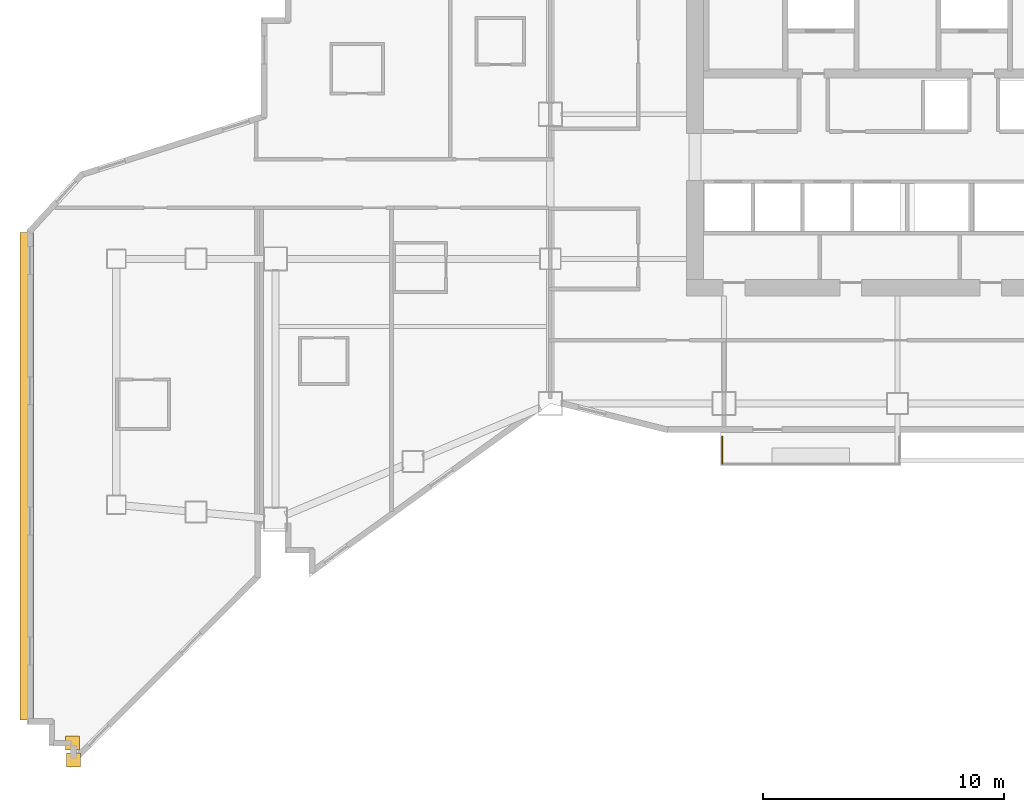
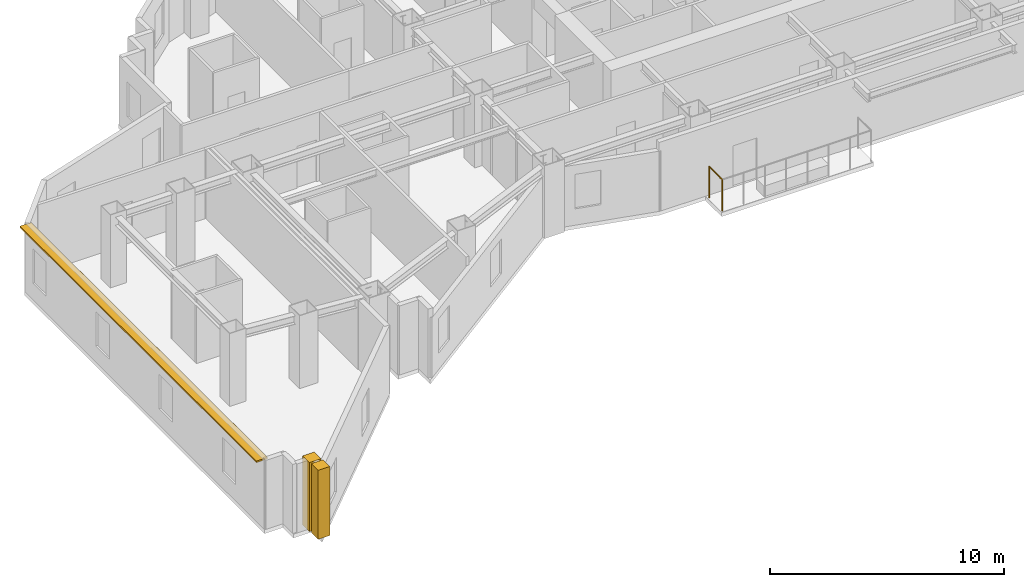
# One storey, part 11 of 14: 2 coverings, 1 railing, 1 shading device.
"""IFC4 building model written with IfcOpenShell, lengths in metres."""

from ifc_helpers import new_model, si_unit, direction, frame, origin, origin_2d, place, context, subcontext, project, spatial, rectangle, circle, extrude, material, layer, layer_set, type_object, element, save


model = new_model("IFC4")

# Units and contexts
model_context = context("Model", 3, precision=1e-05, world=origin(), true_north=direction((0.0, 1.0)))
body_context = subcontext(model_context, "Body", "Model", "MODEL_VIEW")
ifc_project = project(units=[si_unit("LENGTHUNIT", "METRE"), si_unit("AREAUNIT", "SQUARE_METRE"), si_unit("VOLUMEUNIT", "CUBIC_METRE"), si_unit("PLANEANGLEUNIT", "RADIAN"), si_unit("MASSUNIT", "GRAM", prefix="KILO")], contexts=[model_context])

# Site, building, storey
site_placement = place(None, origin())
site = spatial("IfcSite", under=ifc_project, at=site_placement, CompositionType="ELEMENT")
building_placement = place(site_placement, origin())
building = spatial("IfcBuilding", under=site, at=building_placement, Name="Haolan Belvedere Tower", CompositionType="ELEMENT")
storey_placement = place(building_placement, frame((0.0, 0.0, 113.60009765625)))
storey = spatial("IfcBuildingStorey", under=building, at=storey_placement, Name="L28", CompositionType="ELEMENT", Elevation=113.60009765625)

# Coverings
ifc_material_1 = material(Name="Pale champagne-silver anodised aluminium rainscreen cladding", Category="aluminium")
ifc_layer_1 = layer(ifc_material_1, 0.034912109375, Name="Pale champagne-silver anodised aluminium rainscreen cladding")
ifc_layer_set_1 = layer_set([ifc_layer_1], Name="Pale champagne-silver anodised aluminium rainscreen cladding")
covering_type = type_object("IfcCoveringType", Name="COV-CLAD-35", PredefinedType="CLADDING", material=ifc_layer_set_1)
for number, where, z_axis, x_axis, name in (
    (1, (4.177490234375, 7.514892578125, -0.000244140625), (0.0, 0.0, 1.0), (1.0, 0.0, 0.0), "L28 pale-metal serrated corner cladding trim 1"),
    (2, (4.219970703125, 6.827392578125, -0.000244140625), (0.0, 0.0, 1.0), (1.0, 0.0, 0.0), "L28 pale-metal serrated corner cladding trim 2"),
):
    element("IfcCovering", number, at=place(storey_placement, frame(where, z_axis=z_axis, x_axis=x_axis)), inside=storey, type_object=covering_type, Name=name, PredefinedType="CLADDING", context=body_context, shape_type="SweptSolid", body=[
        extrude(rectangle(XDim=0.580078125, YDim=0.580078125, at=origin_2d()), origin(), (0.0, 0.0, 1.0), 3.60009765625),
    ])

# Railing
ifc_material_2 = material(Name="Anodised aluminium and laminated glass balustrade", Category="aluminium")
railing_type = type_object("IfcRailingType", Name="RL-TER-BAL-1150", PredefinedType="BALUSTRADE", material=ifc_material_2)
railing_placement = place(storey_placement, frame((31.1298828125, 19.10009765625, 0.0)))
element("IfcRailing", 3, at=railing_placement, inside=storey, type_object=railing_type, Name="L28 outdoor perimeter balustrade BAL-L28-1-1", PredefinedType="BALUSTRADE", context=body_context, shape_type="SweptSolid", body=[
    extrude(circle(Radius=0.02392578125, at=origin_2d()), frame((0.0, 0.0, 1.6259765625), z_axis=(0.0, 1.0, 0.0), x_axis=(-1.0, 0.0, 0.0)), (0.0, 0.0, 1.0), 1.119873046875),
    extrude(circle(Radius=0.02099609375, at=origin_2d()), origin(), (0.0, 0.0, 1.0), 1.601806640625),
    extrude(circle(Radius=0.02099609375, at=origin_2d()), frame((0.0, 1.119873046875, 0.0)), (0.0, 0.0, 1.0), 1.601806640625),
])

# Shading device
ifc_material_3 = material(Name="Anodised champagne-silver aluminium 6063-T6", Category="aluminium")
ifc_layer_2 = layer(ifc_material_3, 0.080078125, Name="Anodised champagne-silver aluminium 6063-T6")
ifc_layer_set_2 = layer_set([ifc_layer_2], Name="Anodised champagne-silver aluminium 6063-T6")
shading_device_type = type_object("IfcShadingDeviceType", Name="SHD-SUN-550", PredefinedType="USERDEFINED", material=ifc_layer_set_2)
shading_device_placement = place(storey_placement, frame((2.280029296875, 18.584228515625, 3.499755859375), z_axis=(0.0, 0.0, 1.0), x_axis=(0.0, -1.0, 0.0)))
element("IfcShadingDevice", 4, at=shading_device_placement, inside=storey, type_object=shading_device_type, Name="L28 pale-metal horizontal SUNSHADE band 44.1", ObjectType="SUNSHADE", PredefinedType="USERDEFINED", context=body_context, shape_type="SweptSolid", body=[
    extrude(rectangle(XDim=20.208251953125, YDim=0.550048828125, at=origin_2d()), origin(), (0.0, 0.0, 1.0), 0.080078125),
])

save(model, "model.ifc")
